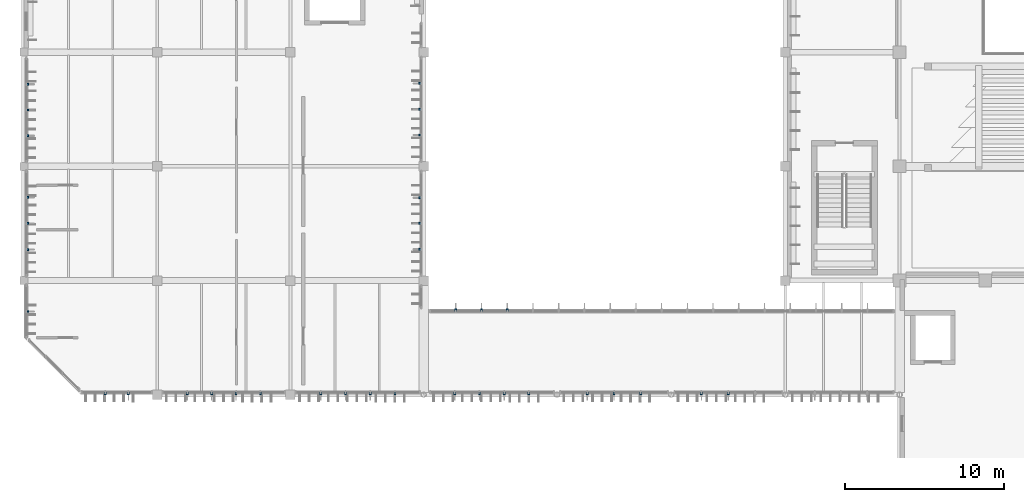
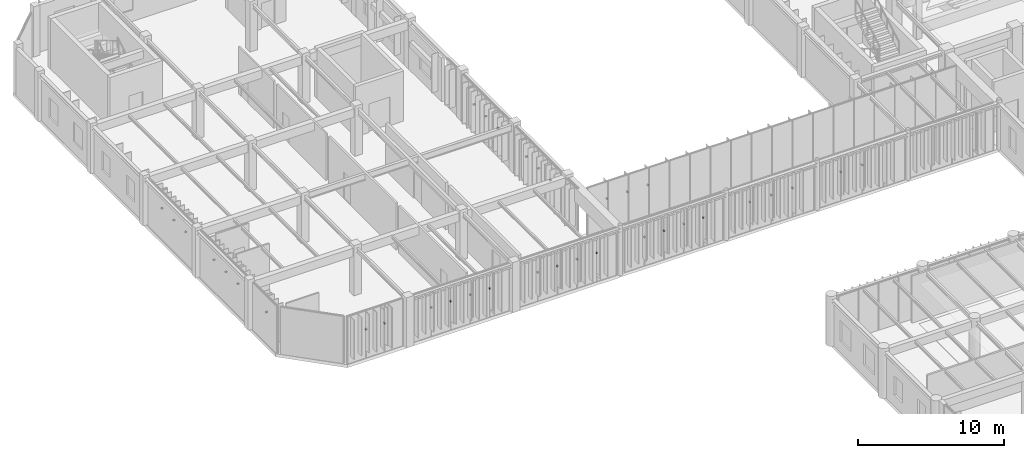
# One storey, part 51 of 122: 35 discrete accessories.
"""IFC4 building model written with IfcOpenShell, lengths in metres."""

from ifc_helpers import new_model, si_unit, direction, frame, origin, origin_2d, place, context, subcontext, project, spatial, rectangle, extrude, material, type_object, element, save


model = new_model("IFC4")

# Units and contexts
model_context = context("Model", 3, precision=1e-05, world=origin(), true_north=direction((0.0, 1.0)))
body_context = subcontext(model_context, "Body", "Model", "MODEL_VIEW")
ifc_project = project(units=[si_unit("LENGTHUNIT", "METRE"), si_unit("AREAUNIT", "SQUARE_METRE"), si_unit("VOLUMEUNIT", "CUBIC_METRE"), si_unit("PLANEANGLEUNIT", "RADIAN"), si_unit("MASSUNIT", "GRAM", prefix="KILO")], contexts=[model_context])

# Site, building, storey
site_placement = place(None, origin())
site = spatial("IfcSite", under=ifc_project, at=site_placement, CompositionType="ELEMENT")
building_placement = place(site_placement, origin())
building = spatial("IfcBuilding", under=site, at=building_placement, Name="Tazoul Stagehouse", CompositionType="ELEMENT")
storey_placement = place(building_placement, frame((0.0, 0.0, 4.800048828125)))
storey = spatial("IfcBuildingStorey", under=building, at=storey_placement, Name="L01", CompositionType="ELEMENT", Elevation=4.800048828125)

# Discrete accessories
ifc_material = material(Name="Austenitic Stainless Steel EN 1.4401", Category="steel")
discrete_accessory_type = type_object("IfcDiscreteAccessoryType", Name="Stainless Steel Louvre Support Cleat Bracket", PredefinedType="BRACKET", material=ifc_material)
for number, where, z_axis, x_axis, name in (
    (1, (7.5166015625, 44.669921875, 2.3486328125), (0.0, 0.0, 1.0), (1.0, 0.0, 0.0), "Cleat Bracket BRK-01 CW-V6-S-L01-B1-BRK01"),
    (2, (8.9833984375, 44.669921875, 2.3486328125), (0.0, 0.0, 1.0), (1.0, 0.0, 0.0), "Cleat Bracket BRK-01 CW-V6-S-L01-B1-BRK02"),
    (3, (12.68994140625, 44.669921875, 2.3486328125), (0.0, 0.0, 1.0), (1.0, 0.0, 0.0), "Cleat Bracket BRK-01 CW-V6-S-L01-B2-BRK01"),
    (4, (14.22998046875, 44.669921875, 2.3486328125), (0.0, 0.0, 1.0), (1.0, 0.0, 0.0), "Cleat Bracket BRK-01 CW-V6-S-L01-B2-BRK02"),
    (5, (15.77001953125, 44.669921875, 2.3486328125), (0.0, 0.0, 1.0), (1.0, 0.0, 0.0), "Cleat Bracket BRK-01 CW-V6-S-L01-B2-BRK03"),
    (6, (17.31005859375, 44.669921875, 2.3486328125), (0.0, 0.0, 1.0), (1.0, 0.0, 0.0), "Cleat Bracket BRK-01 CW-V6-S-L01-B2-BRK04"),
    (7, (21.110107421875, 44.669921875, 2.3486328125), (0.0, 0.0, 1.0), (1.0, 0.0, 0.0), "Cleat Bracket BRK-01 CW-V6-S-L01-B3-BRK01"),
    (8, (22.669921875, 44.669921875, 2.3486328125), (0.0, 0.0, 1.0), (1.0, 0.0, 0.0), "Cleat Bracket BRK-01 CW-V6-S-L01-B3-BRK02"),
    (9, (24.22998046875, 44.669921875, 2.3486328125), (0.0, 0.0, 1.0), (1.0, 0.0, 0.0), "Cleat Bracket BRK-01 CW-V6-S-L01-B3-BRK03"),
    (10, (25.7900390625, 44.669921875, 2.3486328125), (0.0, 0.0, 1.0), (1.0, 0.0, 0.0), "Cleat Bracket BRK-01 CW-V6-S-L01-B3-BRK04"),
    (11, (2.6298828125, 49.85009765625, 2.3486328125), (0.0, 0.0, 1.0), (0.0, 1.0, 0.0), "Cleat Bracket BRK-01 CW-V6-W1-L01-B1-BRK01"),
    (12, (2.6298828125, 53.75, 2.3486328125), (0.0, 0.0, 1.0), (0.0, 1.0, 0.0), "Cleat Bracket BRK-01 CW-V6-W1-L01-B2-BRK01"),
    (13, (2.6298828125, 55.39990234375, 2.3486328125), (0.0, 0.0, 1.0), (0.0, 1.0, 0.0), "Cleat Bracket BRK-01 CW-V6-W1-L01-B2-BRK02"),
    (14, (2.6298828125, 57.050048828125, 2.3486328125), (0.0, 0.0, 1.0), (0.0, 1.0, 0.0), "Cleat Bracket BRK-01 CW-V6-W1-L01-B2-BRK03"),
    (15, (2.6298828125, 60.925048828125, 2.3486328125), (0.0, 0.0, 1.0), (0.0, 1.0, 0.0), "Cleat Bracket BRK-01 CW-V6-W1-L01-B3-BRK01"),
    (16, (2.6298828125, 62.550048828125, 2.3486328125), (0.0, 0.0, 1.0), (0.0, 1.0, 0.0), "Cleat Bracket BRK-01 CW-V6-W1-L01-B3-BRK02"),
    (17, (2.6298828125, 64.175048828125, 2.3486328125), (0.0, 0.0, 1.0), (0.0, 1.0, 0.0), "Cleat Bracket BRK-01 CW-V6-W1-L01-B3-BRK03"),
    (18, (27.3701171875, 53.77490234375, 2.3486328125), (0.0, 0.0, 1.0), (0.0, 1.0, 0.0), "Cleat Bracket BRK-01 CW-V6-E1-L01-B2-BRK01"),
    (19, (27.3701171875, 55.39990234375, 2.3486328125), (0.0, 0.0, 1.0), (0.0, 1.0, 0.0), "Cleat Bracket BRK-01 CW-V6-E1-L01-B2-BRK02"),
    (20, (27.3701171875, 57.02490234375, 2.3486328125), (0.0, 0.0, 1.0), (0.0, 1.0, 0.0), "Cleat Bracket BRK-01 CW-V6-E1-L01-B2-BRK03"),
    (21, (27.3701171875, 60.97509765625, 2.3486328125), (0.0, 0.0, 1.0), (0.0, 1.0, 0.0), "Cleat Bracket BRK-01 CW-V6-E1-L01-B3-BRK01"),
    (22, (27.3701171875, 62.60009765625, 2.3486328125), (0.0, 0.0, 1.0), (0.0, 1.0, 0.0), "Cleat Bracket BRK-01 CW-V6-E1-L01-B3-BRK02"),
    (23, (27.3701171875, 64.22509765625, 2.3486328125), (0.0, 0.0, 1.0), (0.0, 1.0, 0.0), "Cleat Bracket BRK-01 CW-V6-E1-L01-B3-BRK03"),
    (24, (29.5576171875, 44.669921875, 2.3486328125), (0.0, 0.0, 1.0), (1.0, 0.0, 0.0), "Cleat Bracket BRK-01 CW-WLNK-S-L01-B1-BRK01"),
    (25, (31.115234375, 44.669921875, 2.3486328125), (0.0, 0.0, 1.0), (1.0, 0.0, 0.0), "Cleat Bracket BRK-01 CW-WLNK-S-L01-B1-BRK02"),
    (26, (32.6728515625, 44.669921875, 2.3486328125), (0.0, 0.0, 1.0), (1.0, 0.0, 0.0), "Cleat Bracket BRK-01 CW-WLNK-S-L01-B1-BRK03"),
    (27, (34.23046875, 44.669921875, 2.3486328125), (0.0, 0.0, 1.0), (1.0, 0.0, 0.0), "Cleat Bracket BRK-01 CW-WLNK-S-L01-B1-BRK04"),
    (28, (37.906005859375, 44.669921875, 2.3486328125), (0.0, 0.0, 1.0), (1.0, 0.0, 0.0), "Cleat Bracket BRK-01 CW-WLNK-S-L01-B2-BRK01"),
    (29, (39.60009765625, 44.669921875, 2.3486328125), (0.0, 0.0, 1.0), (1.0, 0.0, 0.0), "Cleat Bracket BRK-01 CW-WLNK-S-L01-B2-BRK02"),
    (30, (41.294189453125, 44.669921875, 2.3486328125), (0.0, 0.0, 1.0), (1.0, 0.0, 0.0), "Cleat Bracket BRK-01 CW-WLNK-S-L01-B2-BRK03"),
    (31, (45.10595703125, 44.669921875, 2.3486328125), (0.0, 0.0, 1.0), (1.0, 0.0, 0.0), "Cleat Bracket BRK-01 CW-WLNK-S-L01-B3-BRK01"),
    (32, (46.800048828125, 44.669921875, 2.3486328125), (0.0, 0.0, 1.0), (1.0, 0.0, 0.0), "Cleat Bracket BRK-01 CW-WLNK-S-L01-B3-BRK02"),
    (33, (29.622314453125, 49.929931640625, 2.3486328125), (0.0, 0.0, 1.0), (1.0, 0.0, 0.0), "Cleat Bracket BRK-01 CW-WLNK-N-L01-BRK01"),
    (34, (31.244384765625, 49.929931640625, 2.3486328125), (0.0, 0.0, 1.0), (1.0, 0.0, 0.0), "Cleat Bracket BRK-01 CW-WLNK-N-L01-BRK02"),
    (35, (32.86669921875, 49.929931640625, 2.3486328125), (0.0, 0.0, 1.0), (1.0, 0.0, 0.0), "Cleat Bracket BRK-01 CW-WLNK-N-L01-BRK03"),
):
    element("IfcDiscreteAccessory", number, at=place(storey_placement, frame(where, z_axis=z_axis, x_axis=x_axis)), inside=storey, type_object=discrete_accessory_type, Name=name, PredefinedType="BRACKET", context=body_context, shape_type="SweptSolid", body=[
        extrude(rectangle(XDim=0.1201171875, YDim=0.159912109375, at=origin_2d()), origin(), (0.0, 0.0, 1.0), 0.1201171875),
    ])

save(model, "model.ifc")
